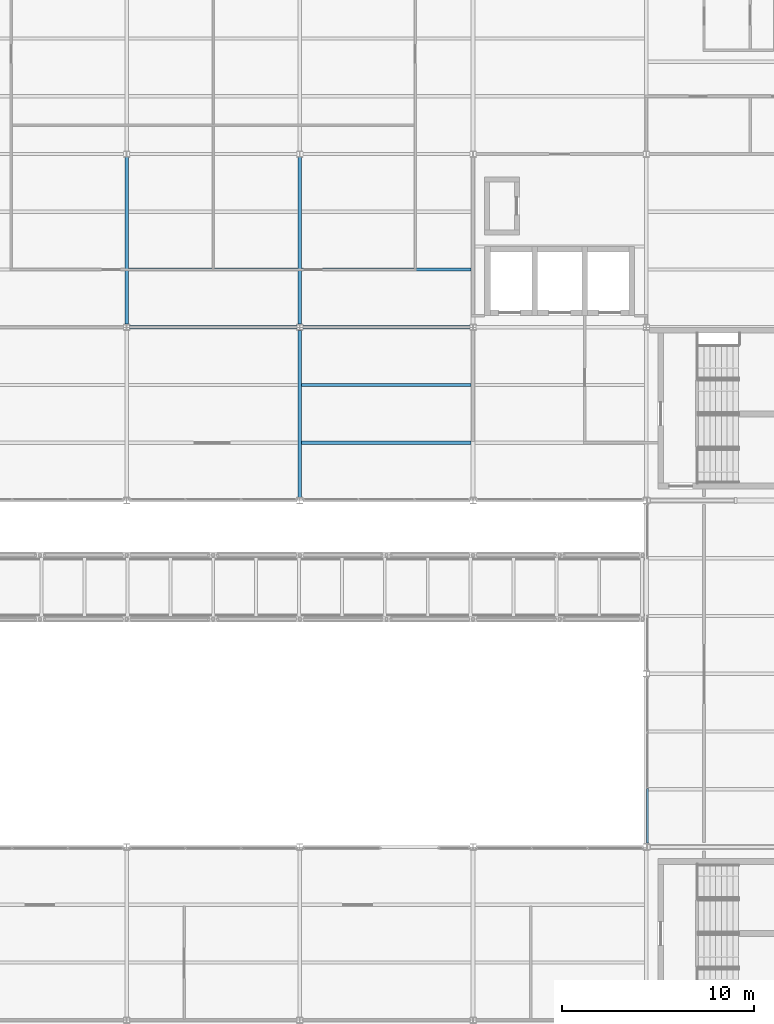
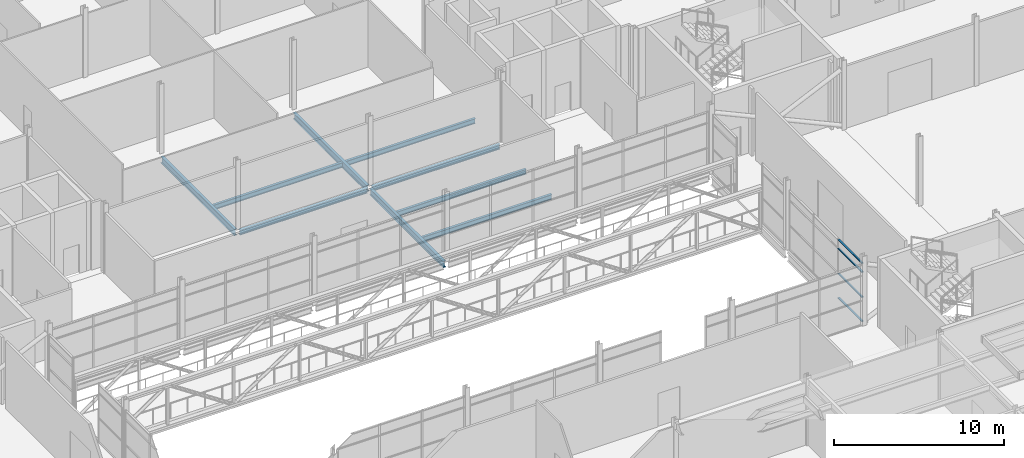
# One storey, part 62 of 115: 9 beams, 4 members, 1 element without a shape of its own.
"""IFC4 building model written with IfcOpenShell, lengths in metres."""

import ifcopenshell
import ifcopenshell.guid

model = None  # the IFC model being written
_history = None  # IfcOwnerHistory: only IFC2X3 demands one
_inside = {}  # id of a spatial element -> (the spatial element, [elements in it])
_under = {}  # id of a project, library or spatial element -> (it, [spatial elements below it])
_declared = {}  # id of a project -> (the project, [libraries it declares])
_typed = {}  # id of a type object -> (the type object, [elements of that type])
_made_of = {}  # id of a material, layer set ... -> (it, [elements and type objects made of it])


def new_model(schema):
    """Start an empty IFC model of exactly this schema.

    Asked for "IFC4X3", IfcOpenShell would pick the latest addendum, in which some entities
    have other attributes; the version numbers below select the first issue.
    IFC2X3 requires an IfcOwnerHistory on every rooted entity: one is made here for all.
    """
    global model, _history
    if schema == "IFC4X3":
        model = ifcopenshell.file(schema_version=(4, 3, 0, 0))
    else:
        model = ifcopenshell.file(schema=schema)
    _inside.clear()
    _under.clear()
    _declared.clear()
    _typed.clear()
    _made_of.clear()
    _history = None
    if model.schema == "IFC2X3":
        org = make("IfcOrganization", Name="unknown")
        user = make(
            "IfcPersonAndOrganization",
            ThePerson=make("IfcPerson", FamilyName="unknown"),
            TheOrganization=org,
        )
        app = make(
            "IfcApplication",
            ApplicationDeveloper=org,
            Version="unknown",
            ApplicationFullName="unknown",
            ApplicationIdentifier="unknown",
        )
        _history = make(
            "IfcOwnerHistory",
            OwningUser=user,
            OwningApplication=app,
            ChangeAction="ADDED",
            CreationDate=0,
        )
    return model


def make(cls, **values):
    """One entity of the class cls with the attributes given. An attribute that is None is left unset."""
    return model.create_entity(
        cls, **{name: value for name, value in values.items() if value is not None}
    )


def rooted(cls, **values):
    """An entity with a GlobalId (a new one), such as an element, a storey or a relation."""
    return make(cls, GlobalId=ifcopenshell.guid.new(), OwnerHistory=_history, **values)


def si_unit(unit_type, name, prefix=None):
    """IfcSIUnit, for example si_unit("LENGTHUNIT", "METRE", prefix="MILLI")."""
    return make("IfcSIUnit", UnitType=unit_type, Prefix=prefix, Name=name)


def assignment(units):
    """IfcUnitAssignment: the units of a project."""
    return None if units is None else make("IfcUnitAssignment", Units=units)


def point(xyz):
    """IfcCartesianPoint."""
    return None if xyz is None else make("IfcCartesianPoint", Coordinates=xyz)


def direction(xyz):
    """IfcDirection."""
    return None if xyz is None else make("IfcDirection", DirectionRatios=xyz)


def frame(location, z_axis=None, x_axis=None):
    """IfcAxis2Placement3D, a coordinate frame: its origin and axes. An axis left out is left unset."""
    return make(
        "IfcAxis2Placement3D",
        Location=point(location),
        Axis=direction(z_axis),
        RefDirection=direction(x_axis),
    )


def frame_2d(location, x_axis=None):
    """IfcAxis2Placement2D, a coordinate frame in the plane: its origin and x axis."""
    return make(
        "IfcAxis2Placement2D", Location=point(location), RefDirection=direction(x_axis)
    )


def origin():
    """The frame at (0, 0, 0) with its axes left unset."""
    return frame((0.0, 0.0, 0.0))


def origin_2d():
    """The frame at (0, 0) in the plane with its x axis left unset."""
    return frame_2d((0.0, 0.0))


def place(relative_to, where):
    """IfcLocalPlacement: puts the frame where relative to a parent placement (None: the world)."""
    return make(
        "IfcLocalPlacement", PlacementRelTo=relative_to, RelativePlacement=where
    )


def context(
    kind, dimensions, precision=None, world=None, true_north=None, identifier=None
):
    """IfcGeometricRepresentationContext, for example the 3D "Model" context."""
    return make(
        "IfcGeometricRepresentationContext",
        ContextIdentifier=identifier,
        ContextType=kind,
        CoordinateSpaceDimension=dimensions,
        Precision=precision,
        WorldCoordinateSystem=world,
        TrueNorth=true_north,
    )


def subcontext(parent, identifier, kind, view, scale=None):
    """IfcGeometricRepresentationSubContext, for example "Body" below "Model"."""
    return make(
        "IfcGeometricRepresentationSubContext",
        ContextIdentifier=identifier,
        ContextType=kind,
        ParentContext=parent,
        TargetScale=scale,
        TargetView=view,
    )


def project(units=None, contexts=None):
    """IfcProject with its units and contexts."""
    return rooted(
        "IfcProject",
        Name="project",
        RepresentationContexts=contexts,
        UnitsInContext=assignment(units),
    )


def spatial(cls, under=None, at=None, **own):
    """A site, building, storey or space (cls), placed at a placement, below another one or the project."""
    s = rooted(cls, ObjectPlacement=at, **own)
    if under is not None:
        _under.setdefault(under.id(), (under, []))[1].append(s)
    return s


def profile(cls, at=None, kind="AREA", **sizes):
    """A parametric profile (cls). Its sizes go by their IFC names, for example OverallWidth=200.0."""
    return make(cls, ProfileType=kind, Position=at, **sizes)


def hollow_rectangle(**sizes):
    """IfcRectangleHollowProfileDef."""
    return profile("IfcRectangleHollowProfileDef", **sizes)


def i_section(**sizes):
    """IfcIShapeProfileDef."""
    return profile("IfcIShapeProfileDef", **sizes)


def extrude(swept, where, along, depth):
    """IfcExtrudedAreaSolid: the profile swept, set in the frame where, extruded along a direction by depth."""
    return make(
        "IfcExtrudedAreaSolid",
        SweptArea=swept,
        Position=where,
        ExtrudedDirection=direction(along),
        Depth=depth,
    )


def shape(context_of_items, identifier, shape_type, items):
    """IfcShapeRepresentation: the items that make up one representation, for example the "Body"."""
    return make(
        "IfcShapeRepresentation",
        ContextOfItems=context_of_items,
        RepresentationIdentifier=identifier,
        RepresentationType=shape_type,
        Items=items,
    )


def material(Name=None, Category=None):
    """IfcMaterial."""
    return make("IfcMaterial", Name=Name, Category=Category)


def layer(
    of_material, thickness, ventilated=None, Name=None, Category=None, Priority=None
):
    """IfcMaterialLayer: one layer of a wall or slab, of a material (None: an air gap)."""
    return make(
        "IfcMaterialLayer",
        Material=of_material,
        LayerThickness=thickness,
        IsVentilated=ventilated,
        Name=Name,
        Category=Category,
        Priority=Priority,
    )


def layer_set(layers, Name=None):
    """IfcMaterialLayerSet."""
    return make("IfcMaterialLayerSet", MaterialLayers=layers, LayerSetName=Name)


def material_profile(
    of_material, cross_section, Name=None, Category=None, Priority=None
):
    """IfcMaterialProfile: a cross section and its material."""
    return make(
        "IfcMaterialProfile",
        Name=Name,
        Material=of_material,
        Profile=cross_section,
        Priority=Priority,
        Category=Category,
    )


def profile_set(profiles, Name=None, composite=None):
    """IfcMaterialProfileSet."""
    return make(
        "IfcMaterialProfileSet",
        Name=Name,
        MaterialProfiles=profiles,
        CompositeProfile=composite,
    )


def made_of(thing, what):
    """Note that an element or type object is made of a material, layer set ...; save() writes the relation."""
    if what is not None:
        _made_of.setdefault(what.id(), (what, []))[1].append(thing)
    return thing


def type_object(cls, material=None, **own):
    """A type object (cls), such as IfcWallType, which elements share."""
    return made_of(rooted(cls, **own), material)


def element(
    cls,
    number,
    at=None,
    inside=None,
    cuts=None,
    type_object=None,
    material=None,
    context=None,
    identifier="Body",
    shape_type=None,
    held_by="IfcProductDefinitionShape",
    body=None,
    shapes=None,
    **own,
):
    """One element of the class cls, such as IfcWall. Its Tag is "e" and its number.

    at: its placement. inside: the storey or other place that contains it. cuts: it is an
    opening in that element (IfcRelVoidsElement). A single representation is given by context,
    identifier, shape_type and body (its items); several are given by shapes. held_by: the class
    of the entity that holds the representations. save() writes the other relations.
    """
    e = rooted(cls, Tag="e%d" % number, ObjectPlacement=at, **own)
    if body is not None:
        shapes = [shape(context, identifier, shape_type, body)]
    if shapes is not None:
        e.Representation = make(held_by, Representations=shapes)
    if inside is not None:
        _inside.setdefault(inside.id(), (inside, []))[1].append(e)
    if cuts is not None:
        rooted(
            "IfcRelVoidsElement", RelatingBuildingElement=cuts, RelatedOpeningElement=e
        )
    if type_object is not None:
        _typed.setdefault(type_object.id(), (type_object, []))[1].append(e)
    return made_of(e, material)


def aggregate(whole, parts):
    """IfcRelAggregates: a whole, such as a stair, and the parts it consists of."""
    return rooted("IfcRelAggregates", RelatingObject=whole, RelatedObjects=parts)


def save(model, path):
    """Write the relations noted so far, then the file.

    IfcRelAggregates (storeys below a building ...), IfcRelContainedInSpatialStructure (elements
    in a storey), IfcRelDefinesByType, IfcRelAssociatesMaterial and IfcRelDeclares: one each for
    every whole, place, type object, material and project.
    """
    for whole, parts in _under.values():
        aggregate(whole, parts)
    for where, things in _inside.values():
        rooted(
            "IfcRelContainedInSpatialStructure",
            RelatedElements=things,
            RelatingStructure=where,
        )
    for kind, things in _typed.values():
        rooted("IfcRelDefinesByType", RelatedObjects=things, RelatingType=kind)
    for what, things in _made_of.values():
        rooted("IfcRelAssociatesMaterial", RelatedObjects=things, RelatingMaterial=what)
    for by, libraries in _declared.values():
        rooted("IfcRelDeclares", RelatingContext=by, RelatedDefinitions=libraries)
    model.write(path)


model = new_model("IFC4")

# Units and contexts
model_context = context("Model", 3, precision=1e-05, world=origin(), true_north=direction((0.0, 1.0)))
body_context = subcontext(model_context, "Body", "Model", "MODEL_VIEW")
ifc_project = project(units=[si_unit("LENGTHUNIT", "METRE"), si_unit("AREAUNIT", "SQUARE_METRE"), si_unit("VOLUMEUNIT", "CUBIC_METRE"), si_unit("PLANEANGLEUNIT", "RADIAN"), si_unit("MASSUNIT", "GRAM", prefix="KILO")], contexts=[model_context])

# Site, building, storey
site_placement = place(None, origin())
site = spatial("IfcSite", under=ifc_project, at=site_placement, CompositionType="ELEMENT")
building_placement = place(site_placement, origin())
building = spatial("IfcBuilding", under=site, at=building_placement, Name="Shorebreak Coast Museum", CompositionType="ELEMENT")
storey_placement = place(building_placement, frame((0.0, 0.0, 11.0)))
storey = spatial("IfcBuildingStorey", under=building, at=storey_placement, Name="L02", CompositionType="ELEMENT", Elevation=11.0)

# Beams
ifc_material_1 = material(Name="Steel Grade 300", Category="steel")
ifc_material_profile_1 = material_profile(ifc_material_1, i_section(OverallWidth=0.172119140625, OverallDepth=0.358642578125, WebThickness=0.008056640625, FlangeThickness=0.012939453125, FilletRadius=0.011474609375, at=origin_2d()), Name="360UB56.7")
ifc_profile_set_1 = profile_set([ifc_material_profile_1], Name="Steel Grade 300")
beam_type_1 = type_object("IfcBeamType", Name="Floor girder east-west 360UB56.7", PredefinedType="BEAM", material=ifc_profile_set_1)
for number, where, z_axis, x_axis, name in (
    (1, (81.155517578125, 90.0, -0.354248046875), (1.0, 0.0, 0.0), (0.0, 1.0, 0.0), "Floor girder east-west L02 10L"),
    (2, (90.155517578125, 90.0, -0.354248046875), (1.0, 0.0, 0.0), (0.0, 1.0, 0.0), "Floor girder east-west L02 11L"),
):
    element("IfcBeam", number, at=place(storey_placement, frame(where, z_axis=z_axis, x_axis=x_axis)), inside=storey, type_object=beam_type_1, Name=name, PredefinedType="BEAM", context=body_context, shape_type="SweptSolid", body=[
        extrude(i_section(OverallWidth=0.172119140625, OverallDepth=0.358642578125, WebThickness=0.008056640625, FlangeThickness=0.012939453125, FilletRadius=0.011474609375, at=origin_2d()), origin(), (0.0, 0.0, 1.0), 8.68896484375),
    ])
ifc_material_2 = material(Name="Steel Grade 300", Category="steel")
ifc_material_profile_2 = material_profile(ifc_material_2, i_section(OverallWidth=0.19091796875, OverallDepth=0.46044921875, WebThickness=0.010009765625, FlangeThickness=0.01611328125, FilletRadius=0.011474609375, at=origin_2d()), Name="460UB82.1")
ifc_profile_set_2 = profile_set([ifc_material_profile_2], Name="Steel Grade 300")
beam_type_2 = type_object("IfcBeamType", Name="Floor girder north-south 460UB82.1", PredefinedType="BEAM", material=ifc_profile_set_2)
beam_placement = place(storey_placement, frame((90.0, 81.16357421875, -0.4052734375), z_axis=(0.0, 1.0, 0.0), x_axis=(-1.0, 0.0, 0.0)))
element("IfcBeam", 3, at=beam_placement, inside=storey, type_object=beam_type_2, Name="Floor girder north-south L02 11K", PredefinedType="BEAM", context=body_context, shape_type="SweptSolid", body=[
    extrude(i_section(OverallWidth=0.19091796875, OverallDepth=0.46044921875, WebThickness=0.010009765625, FlangeThickness=0.01611328125, FilletRadius=0.011474609375, at=origin_2d()), origin(), (0.0, 0.0, 1.0), 8.6728515625),
])
for number, where, z_axis, x_axis, name in (
    (4, (81.0, 90.16357421875, -0.4052734375), (0.0, 1.0, 0.0), (-1.0, 0.0, 0.0), "Floor girder north-south L02 10L"),
    (5, (90.0, 90.16357421875, -0.4052734375), (0.0, 1.0, 0.0), (-1.0, 0.0, 0.0), "Floor girder north-south L02 11L"),
):
    element("IfcBeam", number, at=place(storey_placement, frame(where, z_axis=z_axis, x_axis=x_axis)), inside=storey, type_object=beam_type_2, Name=name, PredefinedType="BEAM", context=body_context, shape_type="SweptSolid", body=[
        extrude(i_section(OverallWidth=0.19091796875, OverallDepth=0.46044921875, WebThickness=0.010009765625, FlangeThickness=0.01611328125, FilletRadius=0.011474609375, at=origin_2d()), origin(), (0.0, 0.0, 1.0), 8.676025390625),
    ])
ifc_material_3 = material(Name="Steel Grade 300", Category="steel")
ifc_material_profile_3 = material_profile(ifc_material_3, i_section(OverallWidth=0.1708984375, OverallDepth=0.35205078125, WebThickness=0.0068359375, FlangeThickness=0.009765625, FilletRadius=0.011474609375, at=origin_2d()), Name="360UB44.7")
ifc_profile_set_3 = profile_set([ifc_material_profile_3], Name="Steel Grade 300")
beam_type_3 = type_object("IfcBeamType", Name="Floor joist 360UB44.7", PredefinedType="JOIST", material=ifc_profile_set_3)
for number, where, z_axis, x_axis, name in (
    (6, (90.095458984375, 84.0, -0.35107421875), (1.0, 0.0, 0.0), (0.0, 1.0, 0.0), "Floor joist L02 bay 11K at 3000 mm"),
    (7, (90.095458984375, 87.0, -0.35107421875), (1.0, 0.0, 0.0), (0.0, 1.0, 0.0), "Floor joist L02 bay 11K at 6000 mm"),
    (8, (81.095458984375, 93.0, -0.35107421875), (1.0, 0.0, 0.0), (0.0, 1.0, 0.0), "Floor joist L02 bay 10L at 3000 mm"),
    (9, (90.095458984375, 93.0, -0.35107421875), (1.0, 0.0, 0.0), (0.0, 1.0, 0.0), "Floor joist L02 bay 11L at 3000 mm"),
):
    element("IfcBeam", number, at=place(storey_placement, frame(where, z_axis=z_axis, x_axis=x_axis)), inside=storey, type_object=beam_type_3, Name=name, PredefinedType="JOIST", context=body_context, shape_type="SweptSolid", body=[
        extrude(i_section(OverallWidth=0.1708984375, OverallDepth=0.35205078125, WebThickness=0.0068359375, FlangeThickness=0.009765625, FilletRadius=0.011474609375, at=origin_2d()), origin(), (0.0, 0.0, 1.0), 8.80908203125),
    ])

# Curtain wall, members
ifc_material_4 = material(Name="Aluminium", Category="aluminium")
ifc_layer = layer(ifc_material_4, 0.1201171875)
ifc_layer_set = layer_set([ifc_layer], Name="Aluminium")
curtain_wall_type = type_object("IfcCurtainWallType", Name="Atrium fire screen", PredefinedType="NOTDEFINED", material=ifc_layer_set)
curtain_wall_placement = place(storey_placement, origin())
curtain_wall = element("IfcCurtainWall", 10, at=curtain_wall_placement, inside=storey, type_object=curtain_wall_type, Name="Atrium screen L02 E 30", PredefinedType="NOTDEFINED")
ifc_material_5 = material(Name="Aluminium", Category="aluminium")
ifc_material_profile_4 = material_profile(ifc_material_5, hollow_rectangle(XDim=0.1201171875, YDim=0.06005859375, WallThickness=0.00341796875, at=origin_2d()), Name="AL 60x120 RHS")
ifc_profile_set_4 = profile_set([ifc_material_profile_4], Name="Aluminium")
member_type = type_object("IfcMemberType", Name="Screen transom 120 x 50", PredefinedType="USERDEFINED", material=ifc_profile_set_4)
member_1_placement = place(storey_placement, frame((108.06005859375, 63.213623046875, 0.06005859375), z_axis=(0.0, 1.0, 0.0), x_axis=(-1.0, 0.0, 0.0)))
member_1 = element("IfcMember", 11, at=member_1_placement, type_object=member_type, Name="CW4 transom 1.1", ObjectType="TRANSOM", PredefinedType="USERDEFINED", context=body_context, shape_type="SweptSolid", body=[
    extrude(hollow_rectangle(XDim=0.1201171875, YDim=0.06005859375, WallThickness=0.00341796875, at=origin_2d()), origin(), (0.0, 0.0, 1.0), 2.81591796875),
])
member_2_placement = place(storey_placement, frame((108.06005859375, 63.213623046875, 1.800048828125), z_axis=(0.0, 1.0, 0.0), x_axis=(-1.0, 0.0, 0.0)))
member_2 = element("IfcMember", 12, at=member_2_placement, type_object=member_type, Name="CW4 transom 1.2", ObjectType="TRANSOM", PredefinedType="USERDEFINED", context=body_context, shape_type="SweptSolid", body=[
    extrude(hollow_rectangle(XDim=0.1201171875, YDim=0.06005859375, WallThickness=0.00341796875, at=origin_2d()), origin(), (0.0, 0.0, 1.0), 2.81591796875),
])
member_3_placement = place(storey_placement, frame((108.06005859375, 63.213623046875, 3.60009765625), z_axis=(0.0, 1.0, 0.0), x_axis=(-1.0, 0.0, 0.0)))
member_3 = element("IfcMember", 13, at=member_3_placement, type_object=member_type, Name="CW4 transom 1.3", ObjectType="TRANSOM", PredefinedType="USERDEFINED", context=body_context, shape_type="SweptSolid", body=[
    extrude(hollow_rectangle(XDim=0.1201171875, YDim=0.06005859375, WallThickness=0.00341796875, at=origin_2d()), origin(), (0.0, 0.0, 1.0), 2.81591796875),
])
member_4_placement = place(storey_placement, frame((108.06005859375, 63.213623046875, 4.23681640625), z_axis=(0.0, 1.0, 0.0), x_axis=(-1.0, 0.0, 0.0)))
member_4 = element("IfcMember", 14, at=member_4_placement, type_object=member_type, Name="CW4 transom 1.4", ObjectType="TRANSOM", PredefinedType="USERDEFINED", context=body_context, shape_type="SweptSolid", body=[
    extrude(hollow_rectangle(XDim=0.1201171875, YDim=0.06005859375, WallThickness=0.00341796875, at=origin_2d()), origin(), (0.0, 0.0, 1.0), 2.81591796875),
])
aggregate(curtain_wall, [member_1, member_2, member_3, member_4])

save(model, "model.ifc")
